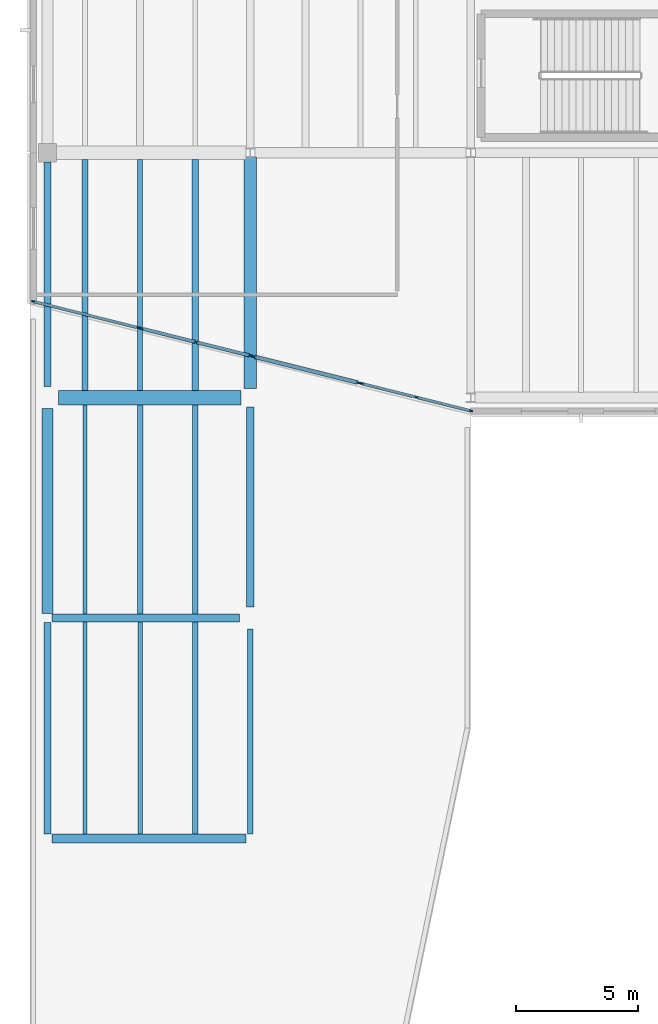
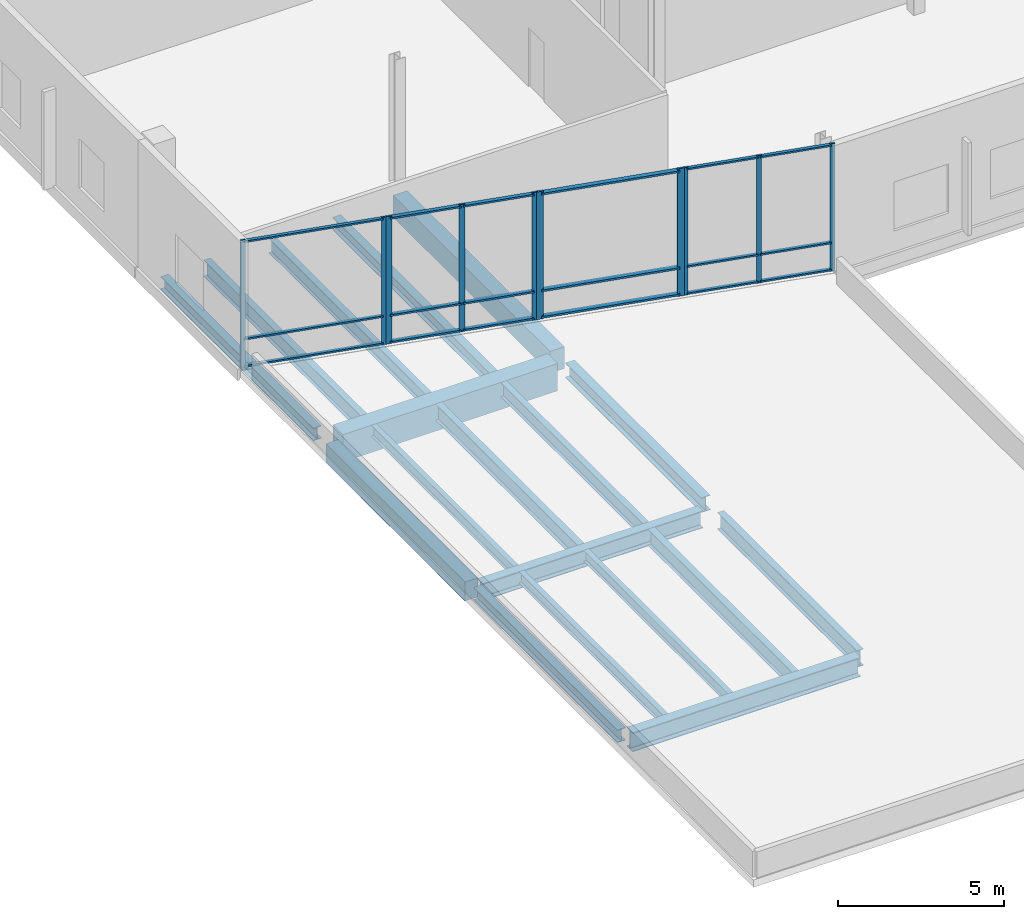
# One storey, part 17 of 81: 28 members, 18 beams, 4 elements without a shape of their own.
"""IFC4 building model written with IfcOpenShell, lengths in metres."""

from ifc_helpers import new_model, si_unit, direction, frame, origin, origin_2d, place, context, subcontext, project, spatial, rectangle, i_section, extrude, material, material_profile, profile_set, type_object, element, aggregate, save


model = new_model("IFC4")

# Units and contexts
model_context = context("Model", 3, precision=1e-05, world=origin(), true_north=direction((0.0, 1.0)))
body_context = subcontext(model_context, "Body", "Model", "MODEL_VIEW")
ifc_project = project(units=[si_unit("LENGTHUNIT", "METRE"), si_unit("AREAUNIT", "SQUARE_METRE"), si_unit("VOLUMEUNIT", "CUBIC_METRE"), si_unit("PLANEANGLEUNIT", "RADIAN"), si_unit("MASSUNIT", "GRAM", prefix="KILO")], contexts=[model_context])

# Site, building, storey
site_placement = place(None, origin())
site = spatial("IfcSite", under=ifc_project, at=site_placement, CompositionType="ELEMENT")
building_placement = place(site_placement, origin())
building = spatial("IfcBuilding", under=site, at=building_placement, Name="Trimount Lyric Opera House", CompositionType="ELEMENT")
storey_placement = place(building_placement, frame((0.0, 0.0, 5.0)))
storey = spatial("IfcBuildingStorey", under=building, at=storey_placement, Name="L01", CompositionType="ELEMENT", Elevation=5.0)

# Beams
ifc_material_1 = material(Name="Steel ASTM A992 Grade 50", Category="steel")
ifc_material_profile_1 = material_profile(ifc_material_1, i_section(OverallWidth=0.35595703125, OverallDepth=0.700927734375, WebThickness=0.016845703125, FlangeThickness=0.02734375, FilletRadius=0.01806640625, at=origin_2d()), Name="W27X161")
ifc_profile_set_1 = profile_set([ifc_material_profile_1], Name="Steel ASTM A992 Grade 50")
beam_type_1 = type_object("IfcBeamType", Name="B-08", PredefinedType="BEAM", material=ifc_profile_set_1)
beam_1_placement = place(storey_placement, frame((0.904052734375, 26.0, -0.62060546875), z_axis=(1.0, 0.0, 0.0), x_axis=(0.0, 1.0, 0.0)))
element("IfcBeam", 1, at=beam_1_placement, inside=storey, type_object=beam_type_1, Name="L01 girder X-0465", PredefinedType="BEAM", context=body_context, shape_type="SweptSolid", body=[
    extrude(i_section(OverallWidth=0.35595703125, OverallDepth=0.700927734375, WebThickness=0.016845703125, FlangeThickness=0.02734375, FilletRadius=0.01806640625, at=origin_2d()), origin(), (0.0, 0.0, 1.0), 7.909423828125),
])
ifc_material_2 = material(Name="Steel ASTM A992 Grade 50", Category="steel")
ifc_material_profile_2 = material_profile(ifc_material_2, i_section(OverallWidth=0.327880859375, OverallDepth=0.626953125, WebThickness=0.0166015625, FlangeThickness=0.027587890625, FilletRadius=0.01611328125, at=origin_2d()), Name="W24X146")
ifc_profile_set_2 = profile_set([ifc_material_profile_2], Name="Steel ASTM A992 Grade 50")
beam_type_2 = type_object("IfcBeamType", Name="B-10", PredefinedType="BEAM", material=ifc_profile_set_2)
beam_2_placement = place(storey_placement, frame((0.906494140625, 35.0, -0.58349609375), z_axis=(1.0, 0.0, 0.0), x_axis=(0.0, 1.0, 0.0)))
element("IfcBeam", 2, at=beam_2_placement, inside=storey, type_object=beam_type_2, Name="L01 girder X-0471", PredefinedType="BEAM", context=body_context, shape_type="SweptSolid", body=[
    extrude(i_section(OverallWidth=0.327880859375, OverallDepth=0.626953125, WebThickness=0.0166015625, FlangeThickness=0.027587890625, FilletRadius=0.01611328125, at=origin_2d()), origin(), (0.0, 0.0, 1.0), 7.6435546875),
])
ifc_material_3 = material(Name="Steel ASTM A992 Grade 50", Category="steel")
ifc_material_profile_3 = material_profile(ifc_material_3, i_section(OverallWidth=0.22998046875, OverallDepth=0.616943359375, WebThickness=0.01318359375, FlangeThickness=0.022216796875, FilletRadius=0.013916015625, at=origin_2d()), Name="W24X94")
ifc_profile_set_3 = profile_set([ifc_material_profile_3], Name="Steel ASTM A992 Grade 50")
beam_type_3 = type_object("IfcBeamType", Name="B-11", PredefinedType="BEAM", material=ifc_profile_set_3)
beam_3_placement = place(storey_placement, frame((9.0, 26.18408203125, -0.57861328125), z_axis=(0.0, 1.0, 0.0), x_axis=(-1.0, 0.0, 0.0)))
element("IfcBeam", 3, at=beam_3_placement, inside=storey, type_object=beam_type_3, Name="L01 girder Y-0604", PredefinedType="BEAM", context=body_context, shape_type="SweptSolid", body=[
    extrude(i_section(OverallWidth=0.22998046875, OverallDepth=0.616943359375, WebThickness=0.01318359375, FlangeThickness=0.022216796875, FilletRadius=0.013916015625, at=origin_2d()), origin(), (0.0, 0.0, 1.0), 8.365966796875),
])
ifc_material_4 = material(Name="Steel ASTM A992 Grade 50", Category="steel")
ifc_material_profile_4 = material_profile(ifc_material_4, i_section(OverallWidth=0.31201171875, OverallDepth=0.5458984375, WebThickness=0.013916015625, FlangeThickness=0.022216796875, FilletRadius=0.014892578125, at=origin_2d()), Name="W21X111")
ifc_profile_set_4 = profile_set([ifc_material_profile_4], Name="Steel ASTM A992 Grade 50")
beam_type_4 = type_object("IfcBeamType", Name="B-12", PredefinedType="BEAM", material=ifc_profile_set_4)
beam_4_placement = place(storey_placement, frame((9.0, 35.449951171875, -0.54296875), z_axis=(0.0, 1.0, 0.0), x_axis=(-1.0, 0.0, 0.0)))
element("IfcBeam", 4, at=beam_4_placement, inside=storey, type_object=beam_type_4, Name="L01 girder Y-0605", PredefinedType="BEAM", context=body_context, shape_type="SweptSolid", body=[
    extrude(i_section(OverallWidth=0.31201171875, OverallDepth=0.5458984375, WebThickness=0.013916015625, FlangeThickness=0.022216796875, FilletRadius=0.014892578125, at=origin_2d()), origin(), (0.0, 0.0, 1.0), 8.175048828125),
])
ifc_material_5 = material(Name="Concrete C40/50", Category="concrete")
ifc_material_profile_5 = material_profile(ifc_material_5, rectangle(XDim=0.60009765625, YDim=1.0, at=origin_2d()), Name="RC600X1000")
ifc_profile_set_5 = profile_set([ifc_material_profile_5], Name="Concrete C40/50")
beam_type_5 = type_object("IfcBeamType", Name="B-13", PredefinedType="BEAM", material=ifc_profile_set_5)
beam_5_placement = place(storey_placement, frame((1.169921875, 44.0, -0.77001953125), z_axis=(1.0, 0.0, 0.0), x_axis=(0.0, 1.0, 0.0)))
element("IfcBeam", 5, at=beam_5_placement, inside=storey, type_object=beam_type_5, Name="L01 girder X-0474", PredefinedType="BEAM", context=body_context, shape_type="SweptSolid", body=[
    extrude(rectangle(XDim=0.60009765625, YDim=1.0, at=origin_2d()), origin(), (0.0, 0.0, 1.0), 7.455078125),
])
ifc_material_6 = material(Name="Concrete C40/50", Category="concrete")
ifc_material_profile_6 = material_profile(ifc_material_6, rectangle(XDim=0.5, YDim=0.800048828125, at=origin_2d()), Name="RC500X800")
ifc_profile_set_6 = profile_set([ifc_material_profile_6], Name="Concrete C40/50")
beam_type_6 = type_object("IfcBeamType", Name="B-15", PredefinedType="BEAM", material=ifc_profile_set_6)
beam_6_placement = place(storey_placement, frame((9.0, 44.375, -0.679931640625), z_axis=(0.0, 1.0, 0.0), x_axis=(-1.0, 0.0, 0.0)))
element("IfcBeam", 6, at=beam_6_placement, inside=storey, type_object=beam_type_6, Name="L01 girder Y-0606", PredefinedType="BEAM", context=body_context, shape_type="SweptSolid", body=[
    extrude(rectangle(XDim=0.5, YDim=0.800048828125, at=origin_2d()), origin(), (0.0, 0.0, 1.0), 9.447021484375),
])
ifc_material_7 = material(Name="Steel ASTM A992 Grade 50", Category="steel")
ifc_material_profile_7 = material_profile(ifc_material_7, i_section(OverallWidth=0.22802734375, OverallDepth=0.60205078125, WebThickness=0.010498046875, FlangeThickness=0.014892578125, FilletRadius=0.012939453125, at=origin_2d()), Name="W24X68")
ifc_profile_set_7 = profile_set([ifc_material_profile_7], Name="Steel ASTM A992 Grade 50")
beam_type_7 = type_object("IfcBeamType", Name="J-01", PredefinedType="BEAM", material=ifc_profile_set_7)
beam_7_placement = place(storey_placement, frame((6.75, 26.174072265625, -0.571044921875), z_axis=(0.0, 1.0, 0.0), x_axis=(-1.0, 0.0, 0.0)))
element("IfcBeam", 7, at=beam_7_placement, inside=storey, type_object=beam_type_7, Name="L01 composite floor joist 0574", PredefinedType="BEAM", context=body_context, shape_type="SweptSolid", body=[
    extrude(i_section(OverallWidth=0.22802734375, OverallDepth=0.60205078125, WebThickness=0.010498046875, FlangeThickness=0.014892578125, FilletRadius=0.012939453125, at=origin_2d()), origin(), (0.0, 0.0, 1.0), 8.666015625),
])
beam_8_placement = place(storey_placement, frame((4.5, 35.159912109375, -0.571044921875), z_axis=(0.0, 1.0, 0.0), x_axis=(-1.0, 0.0, 0.0)))
element("IfcBeam", 8, at=beam_8_placement, inside=storey, type_object=beam_type_7, Name="L01 composite floor joist 0576", PredefinedType="BEAM", context=body_context, shape_type="SweptSolid", body=[
    extrude(i_section(OverallWidth=0.22802734375, OverallDepth=0.60205078125, WebThickness=0.010498046875, FlangeThickness=0.014892578125, FilletRadius=0.012939453125, at=origin_2d()), origin(), (0.0, 0.0, 1.0), 8.544189453125),
])
beam_9_placement = place(storey_placement, frame((2.25, 44.2958984375, -0.5810546875), z_axis=(0.0, 1.0, 0.0), x_axis=(-1.0, 0.0, 0.0)))
element("IfcBeam", 9, at=beam_9_placement, inside=storey, type_object=beam_type_7, Name="L01 composite floor joist 0578", PredefinedType="BEAM", context=body_context, shape_type="SweptSolid", body=[
    extrude(i_section(OverallWidth=0.22802734375, OverallDepth=0.60205078125, WebThickness=0.010498046875, FlangeThickness=0.014892578125, FilletRadius=0.012939453125, at=origin_2d()), origin(), (0.0, 0.0, 1.0), 9.43310546875),
])
ifc_material_8 = material(Name="Steel ASTM A992 Grade 50", Category="steel")
ifc_material_profile_8 = material_profile(ifc_material_8, i_section(OverallWidth=0.2099609375, OverallDepth=0.532958984375, WebThickness=0.01025390625, FlangeThickness=0.015625, FilletRadius=0.012939453125, at=origin_2d()), Name="W21X62")
ifc_profile_set_8 = profile_set([ifc_material_profile_8], Name="Steel ASTM A992 Grade 50")
beam_type_8 = type_object("IfcBeamType", Name="J-02", PredefinedType="BEAM", material=ifc_profile_set_8)
beam_10_placement = place(storey_placement, frame((6.75, 35.159912109375, -0.53662109375), z_axis=(0.0, 1.0, 0.0), x_axis=(-1.0, 0.0, 0.0)))
element("IfcBeam", 10, at=beam_10_placement, inside=storey, type_object=beam_type_8, Name="L01 composite floor joist 0577", PredefinedType="BEAM", context=body_context, shape_type="SweptSolid", body=[
    extrude(i_section(OverallWidth=0.2099609375, OverallDepth=0.532958984375, WebThickness=0.01025390625, FlangeThickness=0.015625, FilletRadius=0.012939453125, at=origin_2d()), origin(), (0.0, 0.0, 1.0), 8.544189453125),
])
beam_11_placement = place(storey_placement, frame((4.5, 44.2958984375, -0.54638671875), z_axis=(0.0, 1.0, 0.0), x_axis=(-1.0, 0.0, 0.0)))
element("IfcBeam", 11, at=beam_11_placement, inside=storey, type_object=beam_type_8, Name="L01 composite floor joist 0579", PredefinedType="BEAM", context=body_context, shape_type="SweptSolid", body=[
    extrude(i_section(OverallWidth=0.2099609375, OverallDepth=0.532958984375, WebThickness=0.01025390625, FlangeThickness=0.015625, FilletRadius=0.012939453125, at=origin_2d()), origin(), (0.0, 0.0, 1.0), 9.43310546875),
])
ifc_material_9 = material(Name="Steel ASTM A992 Grade 50", Category="steel")
ifc_material_profile_9 = material_profile(ifc_material_9, i_section(OverallWidth=0.281982421875, OverallDepth=0.467041015625, WebThickness=0.01220703125, FlangeThickness=0.01953125, FilletRadius=0.012939453125, at=origin_2d()), Name="W18X86")
ifc_profile_set_9 = profile_set([ifc_material_profile_9], Name="Steel ASTM A992 Grade 50")
beam_type_9 = type_object("IfcBeamType", Name="J-03", PredefinedType="BEAM", material=ifc_profile_set_9)
beam_12_placement = place(storey_placement, frame((6.75, 44.2958984375, -0.513427734375), z_axis=(0.0, 1.0, 0.0), x_axis=(-1.0, 0.0, 0.0)))
element("IfcBeam", 12, at=beam_12_placement, inside=storey, type_object=beam_type_9, Name="L01 composite floor joist 0580", PredefinedType="BEAM", context=body_context, shape_type="SweptSolid", body=[
    extrude(i_section(OverallWidth=0.281982421875, OverallDepth=0.467041015625, WebThickness=0.01220703125, FlangeThickness=0.01953125, FilletRadius=0.012939453125, at=origin_2d()), origin(), (0.0, 0.0, 1.0), 9.43310546875),
])
ifc_material_10 = material(Name="Steel ASTM A992 Grade 50", Category="steel")
ifc_material_profile_10 = material_profile(ifc_material_10, i_section(OverallWidth=0.180908203125, OverallDepth=0.4169921875, WebThickness=0.010986328125, FlangeThickness=0.018310546875, FilletRadius=0.010986328125, at=origin_2d()), Name="W16X57")
ifc_profile_set_10 = profile_set([ifc_material_profile_10], Name="Steel ASTM A992 Grade 50")
beam_type_10 = type_object("IfcBeamType", Name="J-05", PredefinedType="BEAM", material=ifc_profile_set_10)
beam_13_placement = place(storey_placement, frame((2.25, 26.174072265625, -0.478515625), z_axis=(0.0, 1.0, 0.0), x_axis=(-1.0, 0.0, 0.0)))
element("IfcBeam", 13, at=beam_13_placement, inside=storey, type_object=beam_type_10, Name="L01 composite floor joist 0572", PredefinedType="BEAM", context=body_context, shape_type="SweptSolid", body=[
    extrude(i_section(OverallWidth=0.180908203125, OverallDepth=0.4169921875, WebThickness=0.010986328125, FlangeThickness=0.018310546875, FilletRadius=0.010986328125, at=origin_2d()), origin(), (0.0, 0.0, 1.0), 8.666015625),
])
ifc_material_11 = material(Name="Steel ASTM A992 Grade 50", Category="steel")
ifc_material_profile_11 = material_profile(ifc_material_11, i_section(OverallWidth=0.177978515625, OverallDepth=0.404052734375, WebThickness=0.007568359375, FlangeThickness=0.010986328125, FilletRadius=0.010009765625, at=origin_2d()), Name="W16X36")
ifc_profile_set_11 = profile_set([ifc_material_profile_11], Name="Steel ASTM A992 Grade 50")
beam_type_11 = type_object("IfcBeamType", Name="J-06", PredefinedType="BEAM", material=ifc_profile_set_11)
beam_14_placement = place(storey_placement, frame((4.5, 26.174072265625, -0.471923828125), z_axis=(0.0, 1.0, 0.0), x_axis=(-1.0, 0.0, 0.0)))
element("IfcBeam", 14, at=beam_14_placement, inside=storey, type_object=beam_type_11, Name="L01 composite floor joist 0573", PredefinedType="BEAM", context=body_context, shape_type="SweptSolid", body=[
    extrude(i_section(OverallWidth=0.177978515625, OverallDepth=0.404052734375, WebThickness=0.007568359375, FlangeThickness=0.010986328125, FilletRadius=0.010009765625, at=origin_2d()), origin(), (0.0, 0.0, 1.0), 8.666015625),
])
beam_15_placement = place(storey_placement, frame((2.25, 35.159912109375, -0.471923828125), z_axis=(0.0, 1.0, 0.0), x_axis=(-1.0, 0.0, 0.0)))
element("IfcBeam", 15, at=beam_15_placement, inside=storey, type_object=beam_type_11, Name="L01 composite floor joist 0575", PredefinedType="BEAM", context=body_context, shape_type="SweptSolid", body=[
    extrude(i_section(OverallWidth=0.177978515625, OverallDepth=0.404052734375, WebThickness=0.007568359375, FlangeThickness=0.010986328125, FilletRadius=0.010009765625, at=origin_2d()), origin(), (0.0, 0.0, 1.0), 8.544189453125),
])

# Curtain wall, members
ifc_material_12 = material(Name="Thermally Broken Aluminium and Low-E Glass", Category="aluminium")
curtain_wall_type = type_object("IfcCurtainWallType", Name="CW-04", PredefinedType="NOTDEFINED", material=ifc_material_12)
curtain_wall_1_placement = place(storey_placement, origin())
curtain_wall_1 = element("IfcCurtainWall", 16, at=curtain_wall_1_placement, inside=storey, type_object=curtain_wall_type, Name="L01 curtain wall 117", PredefinedType="NOTDEFINED")
ifc_material_13 = material(Name="Anodised Aluminium 6063-T6", Category="aluminium")
ifc_material_profile_12 = material_profile(ifc_material_13, rectangle(XDim=0.070068359375, YDim=0.219970703125, at=origin_2d()), Name="ALU-MULL-70X220")
ifc_profile_set_12 = profile_set([ifc_material_profile_12], Name="Anodised Aluminium 6063-T6")
member_type_1 = type_object("IfcMemberType", Name="ML-01", PredefinedType="MULLION", material=ifc_profile_set_12)
member_1_placement = place(storey_placement, frame((13.4130859375, 44.611572265625, 0.0), z_axis=(0.0, 0.0, 1.0), x_axis=(-0.242377643881, -0.970181981768, 0.0)))
member_1 = element("IfcMember", 17, at=member_1_placement, type_object=member_type_1, Name="CW-04 mullion 1", PredefinedType="MULLION", context=body_context, shape_type="SweptSolid", body=[
    extrude(rectangle(XDim=0.070068359375, YDim=0.219970703125, at=origin_2d()), origin(), (0.0, 0.0, 1.0), 4.679931640625),
])
member_2_placement = place(storey_placement, frame((9.14599609375, 45.677490234375, 0.0), z_axis=(0.0, 0.0, 1.0), x_axis=(-0.242377643881, -0.970181981768, 0.0)))
member_2 = element("IfcMember", 18, at=member_2_placement, type_object=member_type_1, Name="CW-04 mullion 2", PredefinedType="MULLION", context=body_context, shape_type="SweptSolid", body=[
    extrude(rectangle(XDim=0.070068359375, YDim=0.219970703125, at=origin_2d()), origin(), (0.0, 0.0, 1.0), 4.679931640625),
])

curtain_wall_2_placement = place(storey_placement, origin())
curtain_wall_2 = element("IfcCurtainWall", 19, at=curtain_wall_2_placement, inside=storey, type_object=curtain_wall_type, Name="L01 curtain wall 118", PredefinedType="NOTDEFINED")
ifc_material_14 = material(Name="Anodised Aluminium 6063-T6", Category="aluminium")
ifc_material_profile_13 = material_profile(ifc_material_14, rectangle(XDim=0.06494140625, YDim=0.179931640625, at=origin_2d()), Name="ALU-MULL-65X180")
ifc_profile_set_13 = profile_set([ifc_material_profile_13], Name="Anodised Aluminium 6063-T6")
member_type_2 = type_object("IfcMemberType", Name="ML-02", PredefinedType="MULLION", material=ifc_profile_set_13)
member_3_placement = place(storey_placement, frame((8.993408203125, 45.7158203125, 0.0), z_axis=(0.0, 0.0, 1.0), x_axis=(-0.242586452098, -0.970129791965, 0.0)))
member_3 = element("IfcMember", 20, at=member_3_placement, type_object=member_type_2, Name="CW-04 mullion 1", PredefinedType="MULLION", context=body_context, shape_type="SweptSolid", body=[
    extrude(rectangle(XDim=0.06494140625, YDim=0.179931640625, at=origin_2d()), origin(), (0.0, 0.0, 1.0), 4.679931640625),
])
member_4_placement = place(storey_placement, frame((6.779541015625, 46.26953125, 0.0), z_axis=(0.0, 0.0, 1.0), x_axis=(-0.242586452098, -0.970129791965, 0.0)))
member_4 = element("IfcMember", 21, at=member_4_placement, type_object=member_type_2, Name="CW-04 mullion 2", PredefinedType="MULLION", context=body_context, shape_type="SweptSolid", body=[
    extrude(rectangle(XDim=0.06494140625, YDim=0.179931640625, at=origin_2d()), origin(), (0.0, 0.0, 1.0), 4.679931640625),
])
member_5_placement = place(storey_placement, frame((4.5654296875, 46.822998046875, 0.0), z_axis=(0.0, 0.0, 1.0), x_axis=(-0.242586452098, -0.970129791965, 0.0)))
member_5 = element("IfcMember", 22, at=member_5_placement, type_object=member_type_2, Name="CW-04 mullion 3", PredefinedType="MULLION", context=body_context, shape_type="SweptSolid", body=[
    extrude(rectangle(XDim=0.06494140625, YDim=0.179931640625, at=origin_2d()), origin(), (0.0, 0.0, 1.0), 4.679931640625),
])

curtain_wall_3_placement = place(storey_placement, origin())
curtain_wall_3 = element("IfcCurtainWall", 23, at=curtain_wall_3_placement, inside=storey, type_object=curtain_wall_type, Name="L01 curtain wall 116", PredefinedType="NOTDEFINED")
ifc_material_15 = material(Name="Anodised Aluminium 6063-T6", Category="aluminium")
ifc_material_profile_14 = material_profile(ifc_material_15, rectangle(XDim=0.06005859375, YDim=0.14990234375, at=origin_2d()), Name="ALU-MULL-60X150")
ifc_profile_set_14 = profile_set([ifc_material_profile_14], Name="Anodised Aluminium 6063-T6")
member_type_3 = type_object("IfcMemberType", Name="ML-03", PredefinedType="MULLION", material=ifc_profile_set_14)
member_6_placement = place(storey_placement, frame((18.0048828125, 43.46337890625, 0.0), z_axis=(0.0, 0.0, 1.0), x_axis=(-0.242535625038, -0.970142500145, 0.0)))
member_6 = element("IfcMember", 24, at=member_6_placement, type_object=member_type_3, Name="CW-04 mullion 1", PredefinedType="MULLION", context=body_context, shape_type="SweptSolid", body=[
    extrude(rectangle(XDim=0.06005859375, YDim=0.14990234375, at=origin_2d()), origin(), (0.0, 0.0, 1.0), 4.679931640625),
])
member_7_placement = place(storey_placement, frame((15.783935546875, 44.0185546875, 0.0), z_axis=(0.0, 0.0, 1.0), x_axis=(-0.242535625038, -0.970142500145, 0.0)))
member_7 = element("IfcMember", 25, at=member_7_placement, type_object=member_type_3, Name="CW-04 mullion 2", PredefinedType="MULLION", context=body_context, shape_type="SweptSolid", body=[
    extrude(rectangle(XDim=0.06005859375, YDim=0.14990234375, at=origin_2d()), origin(), (0.0, 0.0, 1.0), 4.679931640625),
])
member_8_placement = place(storey_placement, frame((13.56298828125, 44.57373046875, 0.0), z_axis=(0.0, 0.0, 1.0), x_axis=(-0.242535625038, -0.970142500145, 0.0)))
member_8 = element("IfcMember", 26, at=member_8_placement, type_object=member_type_3, Name="CW-04 mullion 3", PredefinedType="MULLION", context=body_context, shape_type="SweptSolid", body=[
    extrude(rectangle(XDim=0.06005859375, YDim=0.14990234375, at=origin_2d()), origin(), (0.0, 0.0, 1.0), 4.679931640625),
])

curtain_wall_4_placement = place(storey_placement, origin())
curtain_wall_4 = element("IfcCurtainWall", 27, at=curtain_wall_4_placement, inside=storey, type_object=curtain_wall_type, Name="L01 curtain wall 119", PredefinedType="NOTDEFINED")
member_9_placement = place(storey_placement, frame((4.41796875, 46.8603515625, 0.0), z_axis=(0.0, 0.0, 1.0), x_axis=(-0.242377643881, -0.970181981768, 0.0)))
member_9 = element("IfcMember", 28, at=member_9_placement, type_object=member_type_3, Name="CW-04 mullion 1", PredefinedType="MULLION", context=body_context, shape_type="SweptSolid", body=[
    extrude(rectangle(XDim=0.06005859375, YDim=0.14990234375, at=origin_2d()), origin(), (0.0, 0.0, 1.0), 4.679931640625),
])
member_10_placement = place(storey_placement, frame((0.14111328125, 47.9287109375, 0.0), z_axis=(0.0, 0.0, 1.0), x_axis=(-0.242377643881, -0.970181981768, 0.0)))
member_10 = element("IfcMember", 29, at=member_10_placement, type_object=member_type_3, Name="CW-04 mullion 2", PredefinedType="MULLION", context=body_context, shape_type="SweptSolid", body=[
    extrude(rectangle(XDim=0.06005859375, YDim=0.14990234375, at=origin_2d()), origin(), (0.0, 0.0, 1.0), 4.679931640625),
])

# Beams
ifc_material_16 = material(Name="Steel ASTM A992 Grade 50", Category="steel")
ifc_material_profile_15 = material_profile(ifc_material_16, i_section(OverallWidth=0.281982421875, OverallDepth=0.467041015625, WebThickness=0.01220703125, FlangeThickness=0.01953125, FilletRadius=0.012939453125, at=origin_2d()), Name="W18X86")
ifc_profile_set_15 = profile_set([ifc_material_profile_15], Name="Steel ASTM A992 Grade 50")
beam_type_12 = type_object("IfcBeamType", Name="SP-01", PredefinedType="SPANDREL", material=ifc_profile_set_15)
beam_16_placement = place(storey_placement, frame((0.719970703125, 26.177978515625, -0.50341796875), z_axis=(0.0, 1.0, 0.0), x_axis=(-1.0, 0.0, 0.0)))
element("IfcBeam", 30, at=beam_16_placement, inside=storey, type_object=beam_type_12, Name="L01 girder Y-0594", PredefinedType="SPANDREL", context=body_context, shape_type="SweptSolid", body=[
    extrude(i_section(OverallWidth=0.281982421875, OverallDepth=0.467041015625, WebThickness=0.01220703125, FlangeThickness=0.01953125, FilletRadius=0.012939453125, at=origin_2d()), origin(), (0.0, 0.0, 1.0), 8.637939453125),
])
beam_17_placement = place(storey_placement, frame((0.719970703125, 44.449951171875, -0.513427734375), z_axis=(0.0, 1.0, 0.0), x_axis=(-1.0, 0.0, 0.0)))
element("IfcBeam", 31, at=beam_17_placement, inside=storey, type_object=beam_type_12, Name="L01 girder Y-0596", PredefinedType="SPANDREL", context=body_context, shape_type="SweptSolid", body=[
    extrude(i_section(OverallWidth=0.281982421875, OverallDepth=0.467041015625, WebThickness=0.01220703125, FlangeThickness=0.01953125, FilletRadius=0.012939453125, at=origin_2d()), origin(), (0.0, 0.0, 1.0), 9.175048828125),
])
ifc_material_17 = material(Name="Concrete C40/50", Category="concrete")
ifc_material_profile_16 = material_profile(ifc_material_17, rectangle(XDim=0.449951171875, YDim=0.699951171875, at=origin_2d()), Name="RC450X700")
ifc_profile_set_16 = profile_set([ifc_material_profile_16], Name="Concrete C40/50")
beam_type_13 = type_object("IfcBeamType", Name="SP-02", PredefinedType="SPANDREL", material=ifc_profile_set_16)
beam_18_placement = place(storey_placement, frame((0.719970703125, 35.18408203125, -0.6201171875), z_axis=(0.0, 1.0, 0.0), x_axis=(-1.0, 0.0, 0.0)))
element("IfcBeam", 32, at=beam_18_placement, inside=storey, type_object=beam_type_13, Name="L01 girder Y-0595", PredefinedType="SPANDREL", context=body_context, shape_type="SweptSolid", body=[
    extrude(rectangle(XDim=0.449951171875, YDim=0.699951171875, at=origin_2d()), origin(), (0.0, 0.0, 1.0), 8.365966796875),
])

# Member
ifc_material_18 = material(Name="Anodised Aluminium 6063-T6", Category="aluminium")
ifc_material_profile_17 = material_profile(ifc_material_18, rectangle(XDim=0.159912109375, YDim=0.070068359375, at=origin_2d()), Name="ALU-TRAN-70X160")
ifc_profile_set_17 = profile_set([ifc_material_profile_17], Name="Anodised Aluminium 6063-T6")
member_type_4 = type_object("IfcMemberType", Name="TR-01", PredefinedType="USERDEFINED", material=ifc_profile_set_17)
member_11_placement = place(storey_placement, frame((13.379150390625, 44.619873046875, 0.080078125), z_axis=(-0.970182303036, 0.242376357915, 0.0), x_axis=(-0.242376357915, -0.970182303036, 0.0)))
member_11 = element("IfcMember", 33, at=member_11_placement, type_object=member_type_4, Name="CW-04 transom 1.1", ObjectType="TRANSOM", PredefinedType="USERDEFINED", context=body_context, shape_type="SweptSolid", body=[
    extrude(rectangle(XDim=0.159912109375, YDim=0.070068359375, at=origin_2d()), origin(), (0.0, 0.0, 1.0), 4.328369140625),
])

member_12_placement = place(storey_placement, frame((13.379150390625, 44.619873046875, 1.050048828125), z_axis=(-0.970182303036, 0.242376357915, 0.0), x_axis=(-0.242376357915, -0.970182303036, 0.0)))
member_12 = element("IfcMember", 34, at=member_12_placement, type_object=member_type_4, Name="CW-04 transom 1.2", ObjectType="TRANSOM", PredefinedType="USERDEFINED", context=body_context, shape_type="SweptSolid", body=[
    extrude(rectangle(XDim=0.159912109375, YDim=0.070068359375, at=origin_2d()), origin(), (0.0, 0.0, 1.0), 4.328369140625),
])

member_13_placement = place(storey_placement, frame((13.379150390625, 44.619873046875, 4.60009765625), z_axis=(-0.970182303036, 0.242376357915, 0.0), x_axis=(-0.242376357915, -0.970182303036, 0.0)))
member_13 = element("IfcMember", 35, at=member_13_placement, type_object=member_type_4, Name="CW-04 transom 1.3", ObjectType="TRANSOM", PredefinedType="USERDEFINED", context=body_context, shape_type="SweptSolid", body=[
    extrude(rectangle(XDim=0.159912109375, YDim=0.070068359375, at=origin_2d()), origin(), (0.0, 0.0, 1.0), 4.328369140625),
])

aggregate(curtain_wall_1, [member_1, member_2, member_11, member_12, member_13])

ifc_material_19 = material(Name="Anodised Aluminium 6063-T6", Category="aluminium")
ifc_material_profile_18 = material_profile(ifc_material_19, rectangle(XDim=0.135009765625, YDim=0.06494140625, at=origin_2d()), Name="ALU-TRAN-65X135")
ifc_profile_set_18 = profile_set([ifc_material_profile_18], Name="Anodised Aluminium 6063-T6")
member_type_5 = type_object("IfcMemberType", Name="TR-02", PredefinedType="USERDEFINED", material=ifc_profile_set_18)
member_14_placement = place(storey_placement, frame((8.9619140625, 45.723876953125, 0.0673828125), z_axis=(-0.970129543837, 0.24258744439, 0.0), x_axis=(-0.24258744439, -0.970129543837, 0.0)))
member_14 = element("IfcMember", 36, at=member_14_placement, type_object=member_type_5, Name="CW-04 transom 1.1", ObjectType="TRANSOM", PredefinedType="USERDEFINED", context=body_context, shape_type="SweptSolid", body=[
    extrude(rectangle(XDim=0.135009765625, YDim=0.06494140625, at=origin_2d()), origin(), (0.0, 0.0, 1.0), 2.217041015625),
])

member_15_placement = place(storey_placement, frame((8.9619140625, 45.723876953125, 1.050048828125), z_axis=(-0.970129543837, 0.24258744439, 0.0), x_axis=(-0.24258744439, -0.970129543837, 0.0)))
member_15 = element("IfcMember", 37, at=member_15_placement, type_object=member_type_5, Name="CW-04 transom 1.2", ObjectType="TRANSOM", PredefinedType="USERDEFINED", context=body_context, shape_type="SweptSolid", body=[
    extrude(rectangle(XDim=0.135009765625, YDim=0.06494140625, at=origin_2d()), origin(), (0.0, 0.0, 1.0), 2.217041015625),
])

member_16_placement = place(storey_placement, frame((8.9619140625, 45.723876953125, 4.612548828125), z_axis=(-0.970129543837, 0.24258744439, 0.0), x_axis=(-0.24258744439, -0.970129543837, 0.0)))
member_16 = element("IfcMember", 38, at=member_16_placement, type_object=member_type_5, Name="CW-04 transom 1.3", ObjectType="TRANSOM", PredefinedType="USERDEFINED", context=body_context, shape_type="SweptSolid", body=[
    extrude(rectangle(XDim=0.135009765625, YDim=0.06494140625, at=origin_2d()), origin(), (0.0, 0.0, 1.0), 2.217041015625),
])

member_17_placement = place(storey_placement, frame((6.748046875, 46.27734375, 0.0673828125), z_axis=(-0.970129543837, 0.24258744439, 0.0), x_axis=(-0.24258744439, -0.970129543837, 0.0)))
member_17 = element("IfcMember", 39, at=member_17_placement, type_object=member_type_5, Name="CW-04 transom 2.1", ObjectType="TRANSOM", PredefinedType="USERDEFINED", context=body_context, shape_type="SweptSolid", body=[
    extrude(rectangle(XDim=0.135009765625, YDim=0.06494140625, at=origin_2d()), origin(), (0.0, 0.0, 1.0), 2.217041015625),
])

member_18_placement = place(storey_placement, frame((6.748046875, 46.27734375, 1.050048828125), z_axis=(-0.970129543837, 0.24258744439, 0.0), x_axis=(-0.24258744439, -0.970129543837, 0.0)))
member_18 = element("IfcMember", 40, at=member_18_placement, type_object=member_type_5, Name="CW-04 transom 2.2", ObjectType="TRANSOM", PredefinedType="USERDEFINED", context=body_context, shape_type="SweptSolid", body=[
    extrude(rectangle(XDim=0.135009765625, YDim=0.06494140625, at=origin_2d()), origin(), (0.0, 0.0, 1.0), 2.217041015625),
])

member_19_placement = place(storey_placement, frame((6.748046875, 46.27734375, 4.612548828125), z_axis=(-0.970129543837, 0.24258744439, 0.0), x_axis=(-0.24258744439, -0.970129543837, 0.0)))
member_19 = element("IfcMember", 41, at=member_19_placement, type_object=member_type_5, Name="CW-04 transom 2.3", ObjectType="TRANSOM", PredefinedType="USERDEFINED", context=body_context, shape_type="SweptSolid", body=[
    extrude(rectangle(XDim=0.135009765625, YDim=0.06494140625, at=origin_2d()), origin(), (0.0, 0.0, 1.0), 2.217041015625),
])

aggregate(curtain_wall_2, [member_3, member_4, member_5, member_14, member_15, member_16, member_17, member_18, member_19])

ifc_material_20 = material(Name="Anodised Aluminium 6063-T6", Category="aluminium")
ifc_material_profile_19 = material_profile(ifc_material_20, rectangle(XDim=0.114990234375, YDim=0.06005859375, at=origin_2d()), Name="ALU-TRAN-60X115")
ifc_profile_set_19 = profile_set([ifc_material_profile_19], Name="Anodised Aluminium 6063-T6")
member_type_6 = type_object("IfcMemberType", Name="TR-03", PredefinedType="USERDEFINED", material=ifc_profile_set_19)
member_20_placement = place(storey_placement, frame((17.975830078125, 43.470458984375, 0.0576171875), z_axis=(-0.970136058125, 0.242561391663, 0.0), x_axis=(-0.242561391663, -0.970136058125, 0.0)))
member_20 = element("IfcMember", 42, at=member_20_placement, type_object=member_type_6, Name="CW-04 transom 1.1", ObjectType="TRANSOM", PredefinedType="USERDEFINED", context=body_context, shape_type="SweptSolid", body=[
    extrude(rectangle(XDim=0.114990234375, YDim=0.06005859375, at=origin_2d()), origin(), (0.0, 0.0, 1.0), 2.2294921875),
])

member_21_placement = place(storey_placement, frame((17.975830078125, 43.470458984375, 1.050048828125), z_axis=(-0.970136058125, 0.242561391663, 0.0), x_axis=(-0.242561391663, -0.970136058125, 0.0)))
member_21 = element("IfcMember", 43, at=member_21_placement, type_object=member_type_6, Name="CW-04 transom 1.2", ObjectType="TRANSOM", PredefinedType="USERDEFINED", context=body_context, shape_type="SweptSolid", body=[
    extrude(rectangle(XDim=0.114990234375, YDim=0.06005859375, at=origin_2d()), origin(), (0.0, 0.0, 1.0), 2.2294921875),
])

member_22_placement = place(storey_placement, frame((17.975830078125, 43.470458984375, 4.62255859375), z_axis=(-0.970136058125, 0.242561391663, 0.0), x_axis=(-0.242561391663, -0.970136058125, 0.0)))
member_22 = element("IfcMember", 44, at=member_22_placement, type_object=member_type_6, Name="CW-04 transom 1.3", ObjectType="TRANSOM", PredefinedType="USERDEFINED", context=body_context, shape_type="SweptSolid", body=[
    extrude(rectangle(XDim=0.114990234375, YDim=0.06005859375, at=origin_2d()), origin(), (0.0, 0.0, 1.0), 2.2294921875),
])

member_23_placement = place(storey_placement, frame((15.7548828125, 44.02587890625, 0.0576171875), z_axis=(-0.970155383844, 0.242484084424, 0.0), x_axis=(-0.242484084424, -0.970155383844, 0.0)))
member_23 = element("IfcMember", 45, at=member_23_placement, type_object=member_type_6, Name="CW-04 transom 2.1", ObjectType="TRANSOM", PredefinedType="USERDEFINED", context=body_context, shape_type="SweptSolid", body=[
    extrude(rectangle(XDim=0.114990234375, YDim=0.06005859375, at=origin_2d()), origin(), (0.0, 0.0, 1.0), 2.22900390625),
])

member_24_placement = place(storey_placement, frame((15.7548828125, 44.02587890625, 1.050048828125), z_axis=(-0.970155383844, 0.242484084424, 0.0), x_axis=(-0.242484084424, -0.970155383844, 0.0)))
member_24 = element("IfcMember", 46, at=member_24_placement, type_object=member_type_6, Name="CW-04 transom 2.2", ObjectType="TRANSOM", PredefinedType="USERDEFINED", context=body_context, shape_type="SweptSolid", body=[
    extrude(rectangle(XDim=0.114990234375, YDim=0.06005859375, at=origin_2d()), origin(), (0.0, 0.0, 1.0), 2.22900390625),
])

member_25_placement = place(storey_placement, frame((15.7548828125, 44.02587890625, 4.62255859375), z_axis=(-0.970155383844, 0.242484084424, 0.0), x_axis=(-0.242484084424, -0.970155383844, 0.0)))
member_25 = element("IfcMember", 47, at=member_25_placement, type_object=member_type_6, Name="CW-04 transom 2.3", ObjectType="TRANSOM", PredefinedType="USERDEFINED", context=body_context, shape_type="SweptSolid", body=[
    extrude(rectangle(XDim=0.114990234375, YDim=0.06005859375, at=origin_2d()), origin(), (0.0, 0.0, 1.0), 2.22900390625),
])

aggregate(curtain_wall_3, [member_6, member_7, member_8, member_20, member_21, member_22, member_23, member_24, member_25])

member_26_placement = place(storey_placement, frame((4.388671875, 46.867431640625, 0.0576171875), z_axis=(-0.970178820227, 0.24239029845, 0.0), x_axis=(-0.24239029845, -0.970178820227, 0.0)))
member_26 = element("IfcMember", 48, at=member_26_placement, type_object=member_type_6, Name="CW-04 transom 1.1", ObjectType="TRANSOM", PredefinedType="USERDEFINED", context=body_context, shape_type="SweptSolid", body=[
    extrude(rectangle(XDim=0.114990234375, YDim=0.06005859375, at=origin_2d()), origin(), (0.0, 0.0, 1.0), 4.34814453125),
])

member_27_placement = place(storey_placement, frame((4.388671875, 46.867431640625, 1.050048828125), z_axis=(-0.970178820227, 0.24239029845, 0.0), x_axis=(-0.24239029845, -0.970178820227, 0.0)))
member_27 = element("IfcMember", 49, at=member_27_placement, type_object=member_type_6, Name="CW-04 transom 1.2", ObjectType="TRANSOM", PredefinedType="USERDEFINED", context=body_context, shape_type="SweptSolid", body=[
    extrude(rectangle(XDim=0.114990234375, YDim=0.06005859375, at=origin_2d()), origin(), (0.0, 0.0, 1.0), 4.34814453125),
])

member_28_placement = place(storey_placement, frame((4.388671875, 46.867431640625, 4.62255859375), z_axis=(-0.970178820227, 0.24239029845, 0.0), x_axis=(-0.24239029845, -0.970178820227, 0.0)))
member_28 = element("IfcMember", 50, at=member_28_placement, type_object=member_type_6, Name="CW-04 transom 1.3", ObjectType="TRANSOM", PredefinedType="USERDEFINED", context=body_context, shape_type="SweptSolid", body=[
    extrude(rectangle(XDim=0.114990234375, YDim=0.06005859375, at=origin_2d()), origin(), (0.0, 0.0, 1.0), 4.34814453125),
])

aggregate(curtain_wall_4, [member_9, member_10, member_26, member_27, member_28])

save(model, "model.ifc")
